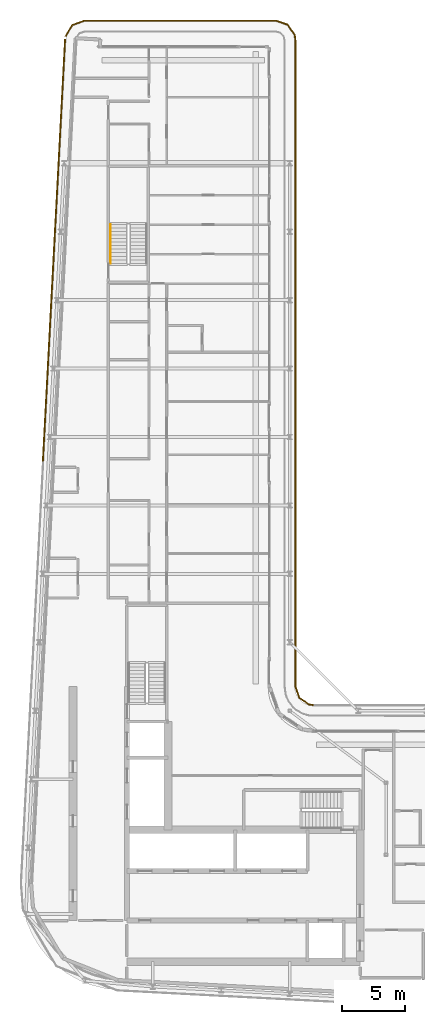
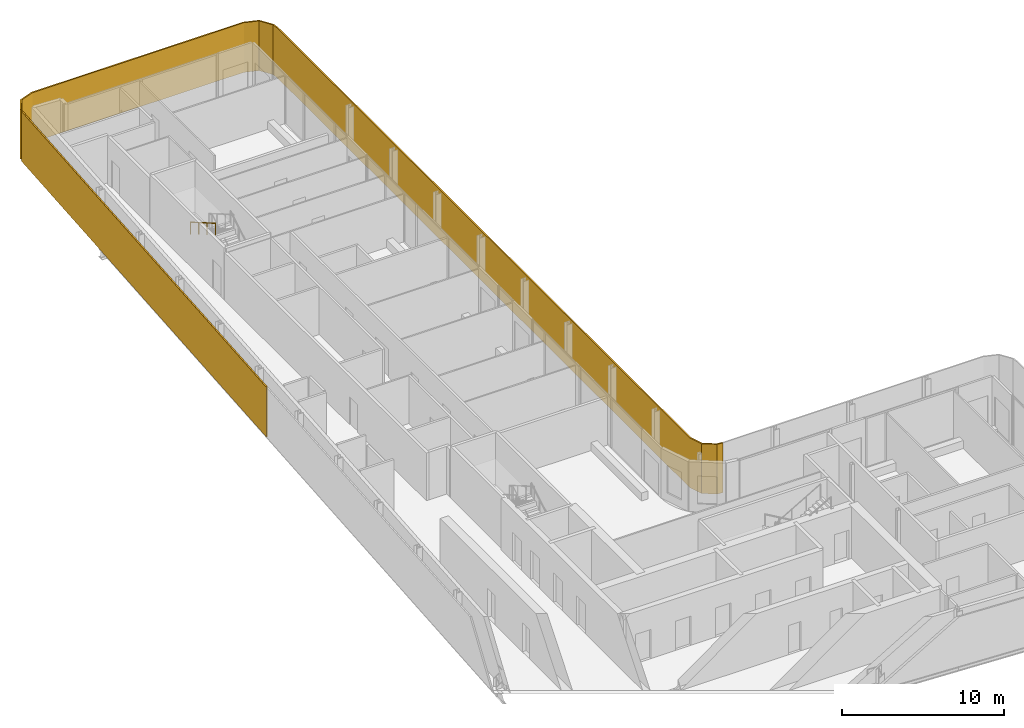
# One storey, part 19 of 21: 2 shading devices, 1 railing.
"""IFC4 building model written with IfcOpenShell, lengths in metres."""

from ifc_helpers import new_model, si_unit, direction, frame, origin, origin_2d, place, context, subcontext, project, spatial, polyline, rectangle, circle, outline, extrude, material, layer, layer_set, type_object, element, save


model = new_model("IFC4")

# Units and contexts
model_context = context("Model", 3, precision=1e-05, world=origin(), true_north=direction((0.0, 1.0)))
body_context = subcontext(model_context, "Body", "Model", "MODEL_VIEW")
ifc_project = project(units=[si_unit("LENGTHUNIT", "METRE"), si_unit("AREAUNIT", "SQUARE_METRE"), si_unit("VOLUMEUNIT", "CUBIC_METRE"), si_unit("PLANEANGLEUNIT", "RADIAN"), si_unit("MASSUNIT", "GRAM", prefix="KILO")], contexts=[model_context])

# Site, building, storey
site_placement = place(None, origin())
site = spatial("IfcSite", under=ifc_project, at=site_placement, CompositionType="ELEMENT")
building_placement = place(site_placement, origin())
building = spatial("IfcBuilding", under=site, at=building_placement, Name="Kheshtan School and Residences Tower", CompositionType="ELEMENT")
storey_placement = place(building_placement, frame((0.0, 0.0, 317.60009765625)))
storey = spatial("IfcBuildingStorey", under=building, at=storey_placement, Name="L75", CompositionType="ELEMENT", Elevation=317.60009765625)

# Shading devices
ifc_material_1 = material(Name="Terracotta baguette, extruded ceramic", Category="masonry")
ifc_layer_1 = layer(ifc_material_1, 0.10009765625)
ifc_layer_set_1 = layer_set([ifc_layer_1], Name="Ledge screen, terracotta baguettes")
shading_device_type_1 = type_object("IfcShadingDeviceType", Name="Ledge screen, terracotta baguettes", PredefinedType="USERDEFINED", material=ifc_layer_set_1)
shading_device_1_placement = place(storey_placement, frame((28.9990234375, 81.93408203125, 0.0), z_axis=(0.0, 0.0, 1.0), x_axis=(0.052562536748, 0.998617634398, 0.0)))
element("IfcShadingDevice", 1, at=shading_device_1_placement, inside=storey, type_object=shading_device_type_1, Name="Screen L75 5", ObjectType="BAGUETTE", PredefinedType="USERDEFINED", context=body_context, shape_type="SweptSolid", body=[
    extrude(rectangle(XDim=33.341064453125, YDim=0.10009765625, at=origin_2d()), origin(), (0.0, 0.0, 1.0), 3.75),
])
ifc_material_2 = material(Name="Terracotta lattice, extruded ceramic", Category="masonry")
ifc_layer_2 = layer(ifc_material_2, 0.10009765625)
ifc_layer_set_2 = layer_set([ifc_layer_2], Name="Loggia screen, terracotta lattice")
shading_device_type_2 = type_object("IfcShadingDeviceType", Name="Loggia screen, terracotta lattice", PredefinedType="USERDEFINED", material=ifc_layer_set_2)
shading_device_2_placement = place(storey_placement, origin())
element("IfcShadingDevice", 2, at=shading_device_2_placement, inside=storey, type_object=shading_device_type_2, Name="Screen L75 1", ObjectType="SCREEN", PredefinedType="USERDEFINED", context=body_context, shape_type="SweptSolid", body=[
    extrude(outline(polyline([(29.949951171875, 98.783935546875), (30.468017578125, 99.656982421875), (31.423095703125, 100.0), (46.5, 100.0), (47.4130859375, 99.68994140625), (47.948974609375, 98.887939453125), (48.0, 98.5), (48.0, 47.5), (48.31005859375, 46.5869140625), (49.112060546875, 46.051025390625), (49.5, 46.0), (49.512939453125, 46.09912109375), (49.14794921875, 46.14697265625), (48.39404296875, 46.65087890625), (48.10009765625, 47.51708984375), (48.10009765625, 98.507080078125), (48.044921875, 98.924072265625), (47.47705078125, 99.77392578125), (46.51708984375, 100.10009765625), (31.406005859375, 100.10009765625), (30.39990234375, 99.739013671875), (29.864013671875, 98.8349609375), (29.949951171875, 98.783935546875)])), origin(), (0.0, 0.0, 1.0), 3.75),
])

# Railing
ifc_material_3 = material(Name="Stainless steel handrail", Category="steel")
railing_type = type_object("IfcRailingType", Name="Stair handrail 900", PredefinedType="HANDRAIL", material=ifc_material_3)
railing_placement = place(storey_placement, frame((33.449951171875, 83.97998046875, 2.1123046875)))
element("IfcRailing", 3, at=railing_placement, inside=storey, type_object=railing_type, Name="L75 ST3 stair handrail 2", PredefinedType="HANDRAIL", context=body_context, shape_type="SweptSolid", body=[
    extrude(circle(Radius=0.02392578125, at=origin_2d()), frame((0.0, 0.0, 0.8759765625), z_axis=(0.0, -0.864890721111, 0.501960198159), x_axis=(1.0, 0.0, 0.0)), (0.0, 0.0, 1.0), 3.561279296875),
    extrude(circle(Radius=0.02099609375, at=origin_2d()), origin(), (0.0, 0.0, 1.0), 0.851806640625),
    extrude(circle(Radius=0.02099609375, at=origin_2d()), frame((0.0, -1.026611328125, 0.595947265625)), (0.0, 0.0, 1.0), 0.851806640625),
    extrude(circle(Radius=0.02099609375, at=origin_2d()), frame((0.0, -2.053466796875, 1.191650390625)), (0.0, 0.0, 1.0), 0.851806640625),
    extrude(circle(Radius=0.02099609375, at=origin_2d()), frame((0.0, -3.080078125, 1.78759765625)), (0.0, 0.0, 1.0), 0.851806640625),
])

save(model, "model.ifc")
